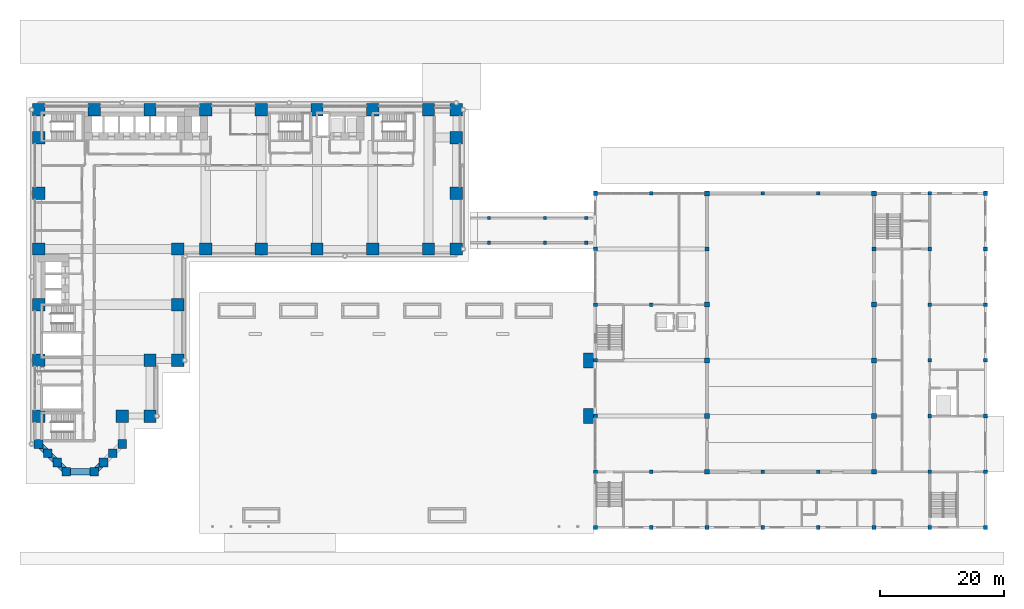
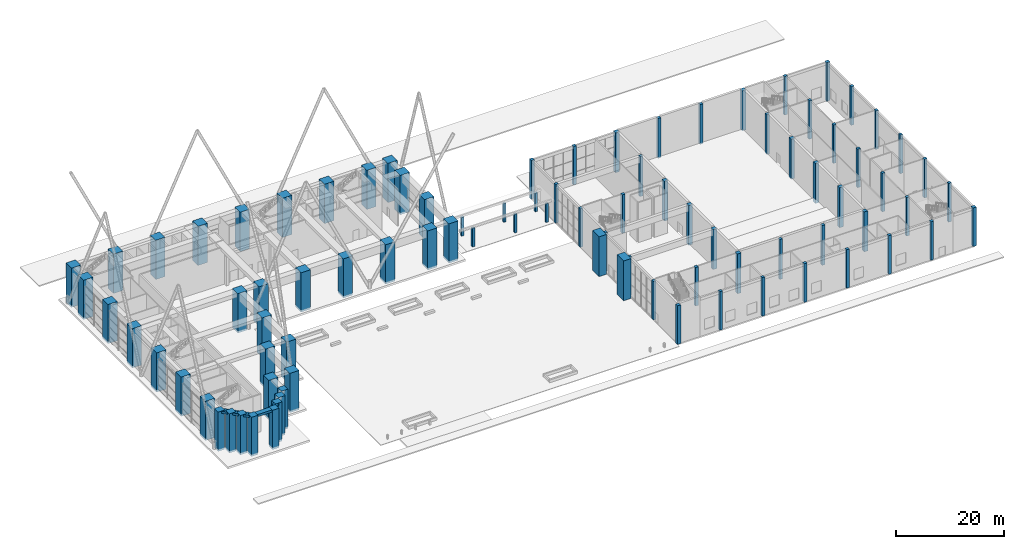
# One storey, part 1 of 44: 90 columns, 5 beams.
"""IFC4 building model written with IfcOpenShell, lengths in metres."""

from ifc_helpers import new_model, si_unit, direction, frame, origin, origin_2d, place, context, subcontext, project, spatial, rectangle, extrude, material, material_profile, profile_set, type_object, element, save


model = new_model("IFC4")

# Units and contexts
model_context = context("Model", 3, precision=1e-05, world=origin(), true_north=direction((0.0, 1.0)))
body_context = subcontext(model_context, "Body", "Model", "MODEL_VIEW")
ifc_project = project(units=[si_unit("LENGTHUNIT", "METRE"), si_unit("AREAUNIT", "SQUARE_METRE"), si_unit("VOLUMEUNIT", "CUBIC_METRE"), si_unit("PLANEANGLEUNIT", "RADIAN"), si_unit("MASSUNIT", "GRAM", prefix="KILO")], contexts=[model_context])

# Site, building, storey
site_placement = place(None, origin())
site = spatial("IfcSite", under=ifc_project, at=site_placement, CompositionType="ELEMENT")
building_placement = place(site_placement, origin())
building = spatial("IfcBuilding", under=site, at=building_placement, Name="Firuza Court", CompositionType="ELEMENT")
storey_placement = place(building_placement, origin())
storey = spatial("IfcBuildingStorey", under=building, at=storey_placement, Name="L00", CompositionType="ELEMENT", Elevation=0.0)

# Columns
ifc_material_1 = material(Name="Concrete C40/50", Category="concrete")
ifc_material_profile_1 = material_profile(ifc_material_1, rectangle(XDim=0.5, YDim=0.5, at=origin_2d()), Name="RC 500X500")
ifc_profile_set_1 = profile_set([ifc_material_profile_1], Name="Concrete C40/50")
column_type_1 = type_object("IfcColumnType", Name="RC COLUMN 500X500", PredefinedType="COLUMN", material=ifc_profile_set_1)
for number, where, z_axis, x_axis, name in (
    (1, (72.800048828125, 37.0, 0.0), (0.0, 0.0, 1.0), (1.0, 0.0, 0.0), "Arcade column 1"),
    (2, (72.800048828125, 41.0, 0.0), (0.0, 0.0, 1.0), (1.0, 0.0, 0.0), "Arcade column 2"),
    (3, (81.800048828125, 37.0, 0.0), (0.0, 0.0, 1.0), (1.0, 0.0, 0.0), "Arcade column 3"),
    (4, (81.800048828125, 41.0, 0.0), (0.0, 0.0, 1.0), (1.0, 0.0, 0.0), "Arcade column 4"),
    (5, (88.5, 37.0, 0.0), (0.0, 0.0, 1.0), (1.0, 0.0, 0.0), "Arcade column 5"),
    (6, (88.5, 41.0, 0.0), (0.0, 0.0, 1.0), (1.0, 0.0, 0.0), "Arcade column 6"),
):
    element("IfcColumn", number, at=place(storey_placement, frame(where, z_axis=z_axis, x_axis=x_axis)), inside=storey, type_object=column_type_1, Name=name, PredefinedType="COLUMN", context=body_context, shape_type="SweptSolid", body=[
        extrude(rectangle(XDim=0.5, YDim=0.5, at=origin_2d()), origin(), (0.0, 0.0, 1.0), 4.199951171875),
    ])
ifc_material_2 = material(Name="Concrete C40/50", Category="concrete")
ifc_material_profile_2 = material_profile(ifc_material_2, rectangle(XDim=0.60009765625, YDim=0.60009765625, at=origin_2d()), Name="RC 600X600")
ifc_profile_set_2 = profile_set([ifc_material_profile_2], Name="Concrete C40/50")
column_type_2 = type_object("IfcColumnType", Name="RC COLUMN 600X600", PredefinedType="COLUMN", material=ifc_profile_set_2)
for number, where, z_axis, x_axis, name in (
    (7, (90.0, 0.0, 0.0), (0.0, 0.0, 1.0), (1.0, 0.0, 0.0), "Column 1-2 L00"),
    (8, (90.0, 9.0, 0.0), (0.0, 0.0, 1.0), (1.0, 0.0, 0.0), "Column 1-3 L00"),
    (9, (90.0, 18.0, 0.0), (0.0, 0.0, 1.0), (1.0, 0.0, 0.0), "Column 1-4 L00"),
    (10, (90.0, 27.0, 0.0), (0.0, 0.0, 1.0), (1.0, 0.0, 0.0), "Column 1-5 L00"),
    (11, (90.0, 36.0, 0.0), (0.0, 0.0, 1.0), (1.0, 0.0, 0.0), "Column 1-6 L00"),
    (12, (99.0, -9.0, 0.0), (0.0, 0.0, 1.0), (1.0, 0.0, 0.0), "Column 2-1 L00"),
    (13, (99.0, 0.0, 0.0), (0.0, 0.0, 1.0), (1.0, 0.0, 0.0), "Column 2-2 L00"),
    (14, (99.0, 27.0, 0.0), (0.0, 0.0, 1.0), (1.0, 0.0, 0.0), "Column 2-5 L00"),
    (15, (99.0, 45.0, 0.0), (0.0, 0.0, 1.0), (1.0, 0.0, 0.0), "Column 2-7 L00"),
    (16, (108.0, -9.0, 0.0), (0.0, 0.0, 1.0), (1.0, 0.0, 0.0), "Column 3-1 L00"),
):
    element("IfcColumn", number, at=place(storey_placement, frame(where, z_axis=z_axis, x_axis=x_axis)), inside=storey, type_object=column_type_2, Name=name, PredefinedType="COLUMN", context=body_context, shape_type="SweptSolid", body=[
        extrude(rectangle(XDim=0.60009765625, YDim=0.60009765625, at=origin_2d()), origin(), (0.0, 0.0, 1.0), 8.699951171875),
    ])
column_1_placement = place(storey_placement, frame((108.0, 36.0, -0.300048828125), z_axis=(0.0, 0.0, 1.0), x_axis=(1.0, 0.0, 0.0)))
element("IfcColumn", 17, at=column_1_placement, inside=storey, type_object=column_type_2, Name="Column 3-6 L00", PredefinedType="COLUMN", context=body_context, shape_type="SweptSolid", body=[
    extrude(rectangle(XDim=0.60009765625, YDim=0.60009765625, at=origin_2d()), origin(), (0.0, 0.0, 1.0), 9.0),
])
column_2_placement = place(storey_placement, frame((117.0, -9.0, 0.0), z_axis=(0.0, 0.0, 1.0), x_axis=(1.0, 0.0, 0.0)))
element("IfcColumn", 18, at=column_2_placement, inside=storey, type_object=column_type_2, Name="Column 4-1 L00", PredefinedType="COLUMN", context=body_context, shape_type="SweptSolid", body=[
    extrude(rectangle(XDim=0.60009765625, YDim=0.60009765625, at=origin_2d()), origin(), (0.0, 0.0, 1.0), 8.699951171875),
])
for number, where, z_axis, x_axis, name in (
    (19, (117.0, 0.0, -0.300048828125), (0.0, 0.0, 1.0), (1.0, 0.0, 0.0), "Column 4-2 L00"),
    (20, (117.0, 45.0, -0.300048828125), (0.0, 0.0, 1.0), (1.0, 0.0, 0.0), "Column 4-7 L00"),
):
    element("IfcColumn", number, at=place(storey_placement, frame(where, z_axis=z_axis, x_axis=x_axis)), inside=storey, type_object=column_type_2, Name=name, PredefinedType="COLUMN", context=body_context, shape_type="SweptSolid", body=[
        extrude(rectangle(XDim=0.60009765625, YDim=0.60009765625, at=origin_2d()), origin(), (0.0, 0.0, 1.0), 9.0),
    ])
column_3_placement = place(storey_placement, frame((126.0, -9.0, 0.0), z_axis=(0.0, 0.0, 1.0), x_axis=(1.0, 0.0, 0.0)))
element("IfcColumn", 21, at=column_3_placement, inside=storey, type_object=column_type_2, Name="Column 5-1 L00", PredefinedType="COLUMN", context=body_context, shape_type="SweptSolid", body=[
    extrude(rectangle(XDim=0.60009765625, YDim=0.60009765625, at=origin_2d()), origin(), (0.0, 0.0, 1.0), 8.699951171875),
])
for number, where, z_axis, x_axis, name in (
    (22, (126.0, 0.0, -0.300048828125), (0.0, 0.0, 1.0), (1.0, 0.0, 0.0), "Column 5-2 L00"),
    (23, (126.0, 45.0, -0.300048828125), (0.0, 0.0, 1.0), (1.0, 0.0, 0.0), "Column 5-7 L00"),
):
    element("IfcColumn", number, at=place(storey_placement, frame(where, z_axis=z_axis, x_axis=x_axis)), inside=storey, type_object=column_type_2, Name=name, PredefinedType="COLUMN", context=body_context, shape_type="SweptSolid", body=[
        extrude(rectangle(XDim=0.60009765625, YDim=0.60009765625, at=origin_2d()), origin(), (0.0, 0.0, 1.0), 9.0),
    ])
column_4_placement = place(storey_placement, frame((135.0, -9.0, 0.0), z_axis=(0.0, 0.0, 1.0), x_axis=(1.0, 0.0, 0.0)))
element("IfcColumn", 24, at=column_4_placement, inside=storey, type_object=column_type_2, Name="Column 6-1 L00", PredefinedType="COLUMN", context=body_context, shape_type="SweptSolid", body=[
    extrude(rectangle(XDim=0.60009765625, YDim=0.60009765625, at=origin_2d()), origin(), (0.0, 0.0, 1.0), 8.699951171875),
])
column_5_placement = place(storey_placement, frame((135.0, 36.0, -0.300048828125), z_axis=(0.0, 0.0, 1.0), x_axis=(1.0, 0.0, 0.0)))
element("IfcColumn", 25, at=column_5_placement, inside=storey, type_object=column_type_2, Name="Column 6-6 L00", PredefinedType="COLUMN", context=body_context, shape_type="SweptSolid", body=[
    extrude(rectangle(XDim=0.60009765625, YDim=0.60009765625, at=origin_2d()), origin(), (0.0, 0.0, 1.0), 9.0),
])
for number, where, z_axis, x_axis, name in (
    (26, (144.0, -9.0, 0.0), (0.0, 0.0, 1.0), (1.0, 0.0, 0.0), "Column 7-1 L00"),
    (27, (144.0, 0.0, 0.0), (0.0, 0.0, 1.0), (1.0, 0.0, 0.0), "Column 7-2 L00"),
    (28, (144.0, 9.0, 0.0), (0.0, 0.0, 1.0), (1.0, 0.0, 0.0), "Column 7-3 L00"),
    (29, (144.0, 18.0, 0.0), (0.0, 0.0, 1.0), (1.0, 0.0, 0.0), "Column 7-4 L00"),
    (30, (144.0, 27.0, 0.0), (0.0, 0.0, 1.0), (1.0, 0.0, 0.0), "Column 7-5 L00"),
    (31, (144.0, 36.0, 0.0), (0.0, 0.0, 1.0), (1.0, 0.0, 0.0), "Column 7-6 L00"),
    (32, (144.0, 45.0, 0.0), (0.0, 0.0, 1.0), (1.0, 0.0, 0.0), "Column 7-7 L00"),
    (33, (153.0, 0.0, 0.0), (0.0, 0.0, 1.0), (1.0, 0.0, 0.0), "Column 8-2 L00"),
    (34, (153.0, 9.0, 0.0), (0.0, 0.0, 1.0), (1.0, 0.0, 0.0), "Column 8-3 L00"),
    (35, (153.0, 18.0, 0.0), (0.0, 0.0, 1.0), (1.0, 0.0, 0.0), "Column 8-4 L00"),
    (36, (153.0, 27.0, 0.0), (0.0, 0.0, 1.0), (1.0, 0.0, 0.0), "Column 8-5 L00"),
    (37, (153.0, 36.0, 0.0), (0.0, 0.0, 1.0), (1.0, 0.0, 0.0), "Column 8-6 L00"),
):
    element("IfcColumn", number, at=place(storey_placement, frame(where, z_axis=z_axis, x_axis=x_axis)), inside=storey, type_object=column_type_2, Name=name, PredefinedType="COLUMN", context=body_context, shape_type="SweptSolid", body=[
        extrude(rectangle(XDim=0.60009765625, YDim=0.60009765625, at=origin_2d()), origin(), (0.0, 0.0, 1.0), 8.699951171875),
    ])
ifc_material_3 = material(Name="Concrete C40/50", Category="concrete")
ifc_material_profile_3 = material_profile(ifc_material_3, rectangle(XDim=0.699951171875, YDim=0.699951171875, at=origin_2d()), Name="RC 700X700")
ifc_profile_set_3 = profile_set([ifc_material_profile_3], Name="Concrete C40/50")
column_type_3 = type_object("IfcColumnType", Name="RC COLUMN 700X700", PredefinedType="COLUMN", material=ifc_profile_set_3)
for number, where, z_axis, x_axis, name in (
    (38, (90.0, -9.0, 0.0), (0.0, 0.0, 1.0), (1.0, 0.0, 0.0), "Column 1-1 L00"),
    (39, (90.0, 45.0, 0.0), (0.0, 0.0, 1.0), (1.0, 0.0, 0.0), "Column 1-7 L00"),
    (40, (153.0, -9.0, 0.0), (0.0, 0.0, 1.0), (1.0, 0.0, 0.0), "Column 8-1 L00"),
    (41, (153.0, 45.0, 0.0), (0.0, 0.0, 1.0), (1.0, 0.0, 0.0), "Column 8-7 L00"),
):
    element("IfcColumn", number, at=place(storey_placement, frame(where, z_axis=z_axis, x_axis=x_axis)), inside=storey, type_object=column_type_3, Name=name, PredefinedType="COLUMN", context=body_context, shape_type="SweptSolid", body=[
        extrude(rectangle(XDim=0.699951171875, YDim=0.699951171875, at=origin_2d()), origin(), (0.0, 0.0, 1.0), 8.699951171875),
    ])
ifc_material_4 = material(Name="Concrete C40/50", Category="concrete")
ifc_material_profile_4 = material_profile(ifc_material_4, rectangle(XDim=0.800048828125, YDim=0.800048828125, at=origin_2d()), Name="RC 800X800")
ifc_profile_set_4 = profile_set([ifc_material_profile_4], Name="Concrete C40/50")
column_type_4 = type_object("IfcColumnType", Name="RC COLUMN 800X800", PredefinedType="COLUMN", material=ifc_profile_set_4)
for number, where, z_axis, x_axis, name in (
    (42, (108.0, 0.0, -0.300048828125), (0.0, 0.0, 1.0), (1.0, 0.0, 0.0), "Column 3-2 L00"),
    (43, (108.0, 9.0, -0.300048828125), (0.0, 0.0, 1.0), (1.0, 0.0, 0.0), "Column 3-3 L00"),
    (44, (108.0, 18.0, -0.300048828125), (0.0, 0.0, 1.0), (1.0, 0.0, 0.0), "Column 3-4 L00"),
    (45, (108.0, 27.0, -0.300048828125), (0.0, 0.0, 1.0), (1.0, 0.0, 0.0), "Column 3-5 L00"),
    (46, (108.0, 45.0, -0.300048828125), (0.0, 0.0, 1.0), (1.0, 0.0, 0.0), "Column 3-7 L00"),
    (47, (135.0, 0.0, -0.300048828125), (0.0, 0.0, 1.0), (1.0, 0.0, 0.0), "Column 6-2 L00"),
    (48, (135.0, 9.0, -0.300048828125), (0.0, 0.0, 1.0), (1.0, 0.0, 0.0), "Column 6-3 L00"),
    (49, (135.0, 18.0, -0.300048828125), (0.0, 0.0, 1.0), (1.0, 0.0, 0.0), "Column 6-4 L00"),
    (50, (135.0, 27.0, -0.300048828125), (0.0, 0.0, 1.0), (1.0, 0.0, 0.0), "Column 6-5 L00"),
    (51, (135.0, 45.0, -0.300048828125), (0.0, 0.0, 1.0), (1.0, 0.0, 0.0), "Column 6-7 L00"),
):
    element("IfcColumn", number, at=place(storey_placement, frame(where, z_axis=z_axis, x_axis=x_axis)), inside=storey, type_object=column_type_4, Name=name, PredefinedType="COLUMN", context=body_context, shape_type="SweptSolid", body=[
        extrude(rectangle(XDim=0.800048828125, YDim=0.800048828125, at=origin_2d()), origin(), (0.0, 0.0, 1.0), 9.0),
    ])
ifc_material_5 = material(Name="Concrete C40/50", Category="concrete")
ifc_material_profile_5 = material_profile(ifc_material_5, rectangle(XDim=1.60009765625, YDim=2.39990234375, at=origin_2d()), Name="RC 1600X2400")
ifc_profile_set_5 = profile_set([ifc_material_profile_5], Name="Concrete C40/50")
column_type_5 = type_object("IfcColumnType", Name="RC PORTAL PIER 1600X2400", PredefinedType="COLUMN", material=ifc_profile_set_5)
for number, where, z_axis, x_axis, name in (
    (52, (88.85009765625, 9.0, 0.0), (0.0, 0.0, 1.0), (1.0, 0.0, 0.0), "Portal pier 1 L00"),
    (53, (88.85009765625, 18.0, 0.0), (0.0, 0.0, 1.0), (1.0, 0.0, 0.0), "Portal pier 2 L00"),
):
    element("IfcColumn", number, at=place(storey_placement, frame(where, z_axis=z_axis, x_axis=x_axis)), inside=storey, type_object=column_type_5, Name=name, PredefinedType="COLUMN", context=body_context, shape_type="SweptSolid", body=[
        extrude(rectangle(XDim=1.60009765625, YDim=2.39990234375, at=origin_2d()), origin(), (0.0, 0.0, 1.0), 9.0),
    ])
ifc_material_6 = material(Name="Concrete C80/95", Category="concrete")
ifc_material_profile_6 = material_profile(ifc_material_6, rectangle(XDim=1.39990234375, YDim=1.39990234375, at=origin_2d()), Name="RC 1400x1400")
ifc_profile_set_6 = profile_set([ifc_material_profile_6], Name="Concrete C80/95")
column_type_6 = type_object("IfcColumnType", Name="Stilt column RC 1400x1400 C80/95", PredefinedType="COLUMN", material=ifc_profile_set_6)
for number, where, z_axis, x_axis, name in (
    (54, (4.5, 0.0, -0.449951171875), (0.0, 0.0, 1.0), (1.0, 0.0, 0.0), "Column C-2D L00"),
    (55, (9.0, 0.0, -0.449951171875), (0.0, 0.0, 1.0), (1.0, 0.0, 0.0), "Column C-3D L00"),
    (56, (3.0, 1.5, -0.449951171875), (0.0, 0.0, 1.0), (1.0, 0.0, 0.0), "Column C-SA1 L00"),
    (57, (10.5, 1.5, -0.449951171875), (0.0, 0.0, 1.0), (1.0, 0.0, 0.0), "Column C-SA2 L00"),
    (58, (1.5, 3.0, -0.449951171875), (0.0, 0.0, 1.0), (1.0, 0.0, 0.0), "Column C-SA3 L00"),
    (59, (12.0, 3.0, -0.449951171875), (0.0, 0.0, 1.0), (1.0, 0.0, 0.0), "Column C-SA4 L00"),
    (60, (0.0, 4.5, -0.449951171875), (0.0, 0.0, 1.0), (1.0, 0.0, 0.0), "Column C-1E L00"),
    (61, (13.5, 4.5, -0.449951171875), (0.0, 0.0, 1.0), (1.0, 0.0, 0.0), "Column C-4E L00"),
):
    element("IfcColumn", number, at=place(storey_placement, frame(where, z_axis=z_axis, x_axis=x_axis)), inside=storey, type_object=column_type_6, Name=name, PredefinedType="COLUMN", context=body_context, shape_type="SweptSolid", body=[
        extrude(rectangle(XDim=1.39990234375, YDim=1.39990234375, at=origin_2d()), origin(), (0.0, 0.0, 1.0), 8.849853515625),
    ])
ifc_material_7 = material(Name="Concrete C80/95", Category="concrete")
ifc_material_profile_7 = material_profile(ifc_material_7, rectangle(XDim=2.0, YDim=2.0, at=origin_2d()), Name="RC 2000x2000")
ifc_profile_set_7 = profile_set([ifc_material_profile_7], Name="Concrete C80/95")
column_type_7 = type_object("IfcColumnType", Name="Stilt column RC 2000x2000 C80/95", PredefinedType="COLUMN", material=ifc_profile_set_7)
for number, where, z_axis, x_axis, name in (
    (62, (0.0, 9.0, -0.449951171875), (0.0, 0.0, 1.0), (1.0, 0.0, 0.0), "Column C-1F L00"),
    (63, (13.5, 9.0, -0.449951171875), (0.0, 0.0, 1.0), (1.0, 0.0, 0.0), "Column C-4F L00"),
    (64, (18.0, 9.0, -0.449951171875), (0.0, 0.0, 1.0), (1.0, 0.0, 0.0), "Column C-5F L00"),
    (65, (0.0, 18.0, -0.449951171875), (0.0, 0.0, 1.0), (1.0, 0.0, 0.0), "Column C-1H L00"),
    (66, (18.0, 18.0, -0.449951171875), (0.0, 0.0, 1.0), (1.0, 0.0, 0.0), "Column C-5H L00"),
    (67, (22.5, 18.0, -0.449951171875), (0.0, 0.0, 1.0), (1.0, 0.0, 0.0), "Column C-6H L00"),
    (68, (0.0, 27.0, -0.449951171875), (0.0, 0.0, 1.0), (1.0, 0.0, 0.0), "Column C-1K L00"),
    (69, (22.5, 27.0, -0.449951171875), (0.0, 0.0, 1.0), (1.0, 0.0, 0.0), "Column C-6K L00"),
    (70, (0.0, 36.0, -0.449951171875), (0.0, 0.0, 1.0), (1.0, 0.0, 0.0), "Column C-1M L00"),
    (71, (22.5, 36.0, -0.449951171875), (0.0, 0.0, 1.0), (1.0, 0.0, 0.0), "Column C-6M L00"),
    (72, (27.0, 36.0, -0.449951171875), (0.0, 0.0, 1.0), (1.0, 0.0, 0.0), "Column C-7M L00"),
    (73, (36.0, 36.0, -0.449951171875), (0.0, 0.0, 1.0), (1.0, 0.0, 0.0), "Column C-9M L00"),
    (74, (45.0, 36.0, -0.449951171875), (0.0, 0.0, 1.0), (1.0, 0.0, 0.0), "Column C-11M L00"),
    (75, (54.0, 36.0, -0.449951171875), (0.0, 0.0, 1.0), (1.0, 0.0, 0.0), "Column C-13M L00"),
    (76, (63.0, 36.0, -0.449951171875), (0.0, 0.0, 1.0), (1.0, 0.0, 0.0), "Column C-15M L00"),
    (77, (67.5, 36.0, -0.449951171875), (0.0, 0.0, 1.0), (1.0, 0.0, 0.0), "Column C-16M L00"),
    (78, (0.0, 45.0, -0.449951171875), (0.0, 0.0, 1.0), (1.0, 0.0, 0.0), "Column C-1P L00"),
    (79, (67.5, 45.0, -0.449951171875), (0.0, 0.0, 1.0), (1.0, 0.0, 0.0), "Column C-16P L00"),
    (80, (0.0, 54.0, -0.449951171875), (0.0, 0.0, 1.0), (1.0, 0.0, 0.0), "Column C-1R L00"),
    (81, (67.5, 54.0, -0.449951171875), (0.0, 0.0, 1.0), (1.0, 0.0, 0.0), "Column C-16R L00"),
    (82, (0.0, 58.5, -0.449951171875), (0.0, 0.0, 1.0), (1.0, 0.0, 0.0), "Column C-1S L00"),
    (83, (9.0, 58.5, -0.449951171875), (0.0, 0.0, 1.0), (1.0, 0.0, 0.0), "Column C-3S L00"),
    (84, (18.0, 58.5, -0.449951171875), (0.0, 0.0, 1.0), (1.0, 0.0, 0.0), "Column C-5S L00"),
    (85, (27.0, 58.5, -0.449951171875), (0.0, 0.0, 1.0), (1.0, 0.0, 0.0), "Column C-7S L00"),
    (86, (36.0, 58.5, -0.449951171875), (0.0, 0.0, 1.0), (1.0, 0.0, 0.0), "Column C-9S L00"),
    (87, (45.0, 58.5, -0.449951171875), (0.0, 0.0, 1.0), (1.0, 0.0, 0.0), "Column C-11S L00"),
    (88, (54.0, 58.5, -0.449951171875), (0.0, 0.0, 1.0), (1.0, 0.0, 0.0), "Column C-13S L00"),
    (89, (63.0, 58.5, -0.449951171875), (0.0, 0.0, 1.0), (1.0, 0.0, 0.0), "Column C-15S L00"),
    (90, (67.5, 58.5, -0.449951171875), (0.0, 0.0, 1.0), (1.0, 0.0, 0.0), "Column C-16S L00"),
):
    element("IfcColumn", number, at=place(storey_placement, frame(where, z_axis=z_axis, x_axis=x_axis)), inside=storey, type_object=column_type_7, Name=name, PredefinedType="COLUMN", context=body_context, shape_type="SweptSolid", body=[
        extrude(rectangle(XDim=2.0, YDim=2.0, at=origin_2d()), origin(), (0.0, 0.0, 1.0), 8.849853515625),
    ])

# Beams
ifc_material_8 = material(Name="Concrete C40/50", Category="concrete")
ifc_material_profile_8 = material_profile(ifc_material_8, rectangle(XDim=1.0, YDim=0.5, at=origin_2d()), Name="RC 1000x500")
ifc_profile_set_8 = profile_set([ifc_material_profile_8], Name="Concrete C40/50")
beam_type = type_object("IfcBeamType", Name="Spandrel beam RC 1000x500 C40/50", PredefinedType="BEAM", material=ifc_profile_set_8)
for number, where, z_axis, x_axis, name in (
    (91, (0.0, 4.5, 8.14990234375), (0.707106781187, -0.707106781187, 0.0), (0.707106781187, 0.707106781187, 0.0), "Spandrel beam SP7 level L01"),
    (92, (1.5, 3.0, 8.14990234375), (0.707106781187, -0.707106781187, 0.0), (0.707106781187, 0.707106781187, 0.0), "Spandrel beam SP7 level L01"),
    (93, (3.0, 1.5, 8.14990234375), (0.707106781187, -0.707106781187, 0.0), (0.707106781187, 0.707106781187, 0.0), "Spandrel beam SP7 level L01"),
):
    element("IfcBeam", number, at=place(storey_placement, frame(where, z_axis=z_axis, x_axis=x_axis)), inside=storey, type_object=beam_type, Name=name, PredefinedType="BEAM", context=body_context, shape_type="SweptSolid", body=[
        extrude(rectangle(XDim=1.0, YDim=0.5, at=origin_2d()), origin(), (0.0, 0.0, 1.0), 2.121337890625),
    ])
beam_1_placement = place(storey_placement, frame((4.5, 0.0, 8.14990234375), z_axis=(1.0, 0.0, 0.0), x_axis=(0.0, 1.0, 0.0)))
element("IfcBeam", 94, at=beam_1_placement, inside=storey, type_object=beam_type, Name="Spandrel beam SP7 level L01", PredefinedType="BEAM", context=body_context, shape_type="SweptSolid", body=[
    extrude(rectangle(XDim=1.0, YDim=0.5, at=origin_2d()), origin(), (0.0, 0.0, 1.0), 4.5),
])
beam_2_placement = place(storey_placement, frame((9.0, 0.0, 8.14990234375), z_axis=(0.707106781187, 0.707106781187, 0.0), x_axis=(-0.707106781187, 0.707106781187, 0.0)))
element("IfcBeam", 95, at=beam_2_placement, inside=storey, type_object=beam_type, Name="Spandrel beam SP7 level L01", PredefinedType="BEAM", context=body_context, shape_type="SweptSolid", body=[
    extrude(rectangle(XDim=1.0, YDim=0.5, at=origin_2d()), origin(), (0.0, 0.0, 1.0), 2.121337890625),
])

save(model, "model.ifc")
